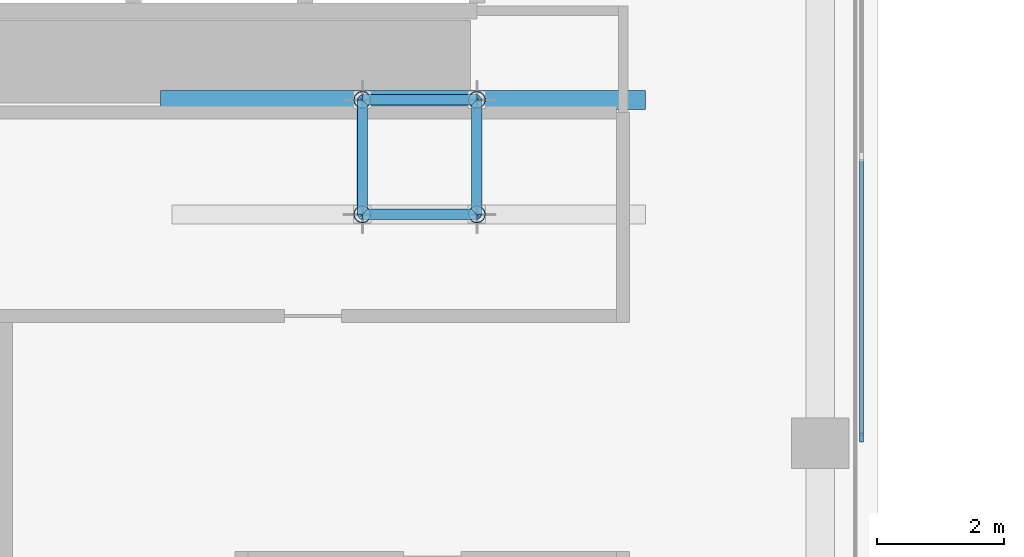
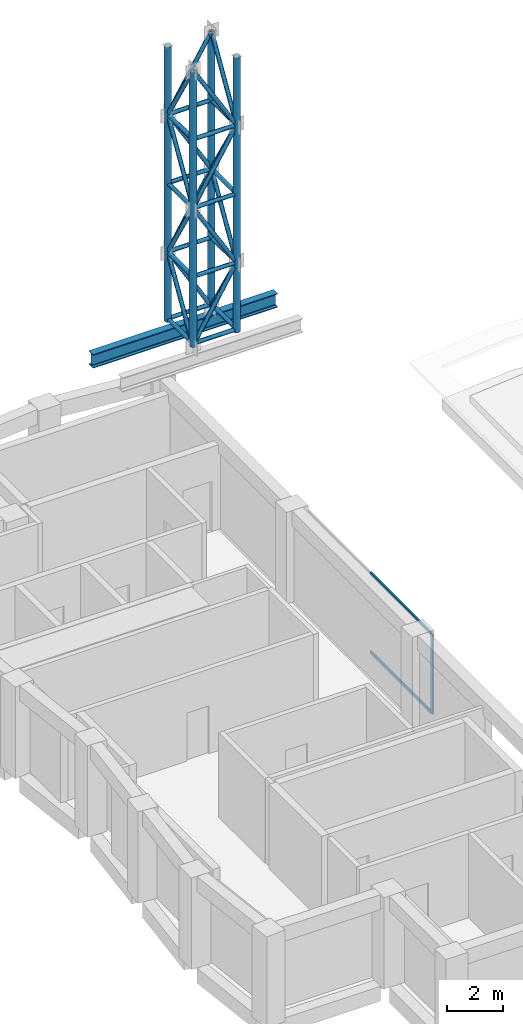
# One storey, part 3 of 7: 39 members, 1 beam, 1 element without a shape of its own.
"""IFC4 building model written with IfcOpenShell, lengths in metres."""

from ifc_helpers import new_model, si_unit, direction, frame, origin, origin_2d, place, context, subcontext, project, spatial, rectangle, hollow_circle, i_section, extrude, material, material_profile, profile_set, type_object, element, aggregate, save


model = new_model("IFC4")

# Units and contexts
model_context = context("Model", 3, precision=1e-05, world=origin(), true_north=direction((0.0, 1.0)))
body_context = subcontext(model_context, "Body", "Model", "MODEL_VIEW")
ifc_project = project(units=[si_unit("LENGTHUNIT", "METRE"), si_unit("AREAUNIT", "SQUARE_METRE"), si_unit("VOLUMEUNIT", "CUBIC_METRE"), si_unit("PLANEANGLEUNIT", "RADIAN"), si_unit("MASSUNIT", "GRAM", prefix="KILO")], contexts=[model_context])

# Site, building, storey
site_placement = place(None, origin())
site = spatial("IfcSite", under=ifc_project, at=site_placement, CompositionType="ELEMENT")
building_placement = place(site_placement, origin())
building = spatial("IfcBuilding", under=site, at=building_placement, Name="Brondeck Convention Tower", CompositionType="ELEMENT")
storey_placement = place(building_placement, frame((0.0, 0.0, 306.800048828125)))
storey = spatial("IfcBuildingStorey", under=building, at=storey_placement, Name="L76", CompositionType="ELEMENT", Elevation=306.800048828125)

# Curtain wall, members
ifc_material_1 = material(Name="Aluminium, bronze anodised", Category="aluminium")
curtain_wall_type = type_object("IfcCurtainWallType", Name="Crown screen curtain wall", PredefinedType="NOTDEFINED", material=ifc_material_1)
curtain_wall_placement = place(storey_placement, origin())
curtain_wall = element("IfcCurtainWall", 1, at=curtain_wall_placement, inside=storey, type_object=curtain_wall_type, Name="ENV-CW4-L76-K1-SLOT-W-05", PredefinedType="NOTDEFINED")
ifc_material_profile_1 = material_profile(ifc_material_1, rectangle(XDim=0.06005859375, YDim=0.139892578125, at=origin_2d()), Name="CW4 mullion")
ifc_profile_set_1 = profile_set([ifc_material_profile_1], Name="Aluminium, bronze anodised")
member_type_1 = type_object("IfcMemberType", Name="CW4 mullion", PredefinedType="MULLION", material=ifc_profile_set_1)
member_1_placement = place(storey_placement, frame((14.14990234375, 45.090087890625, 0.0), z_axis=(0.0, 0.0, 1.0), x_axis=(1.0, 0.0, 0.0)))
member_1 = element("IfcMember", 2, at=member_1_placement, type_object=member_type_1, Name="CW4 mullion 3", PredefinedType="MULLION", context=body_context, shape_type="SweptSolid", body=[
    extrude(rectangle(XDim=0.06005859375, YDim=0.139892578125, at=origin_2d()), origin(), (0.0, 0.0, 1.0), 3.5),
])
ifc_material_profile_2 = material_profile(ifc_material_1, rectangle(XDim=0.06005859375, YDim=0.1201171875, at=origin_2d()), Name="CW4 transom")
ifc_profile_set_2 = profile_set([ifc_material_profile_2], Name="Aluminium, bronze anodised")
member_type_2 = type_object("IfcMemberType", Name="CW4 transom", PredefinedType="USERDEFINED", material=ifc_profile_set_2)
member_2_placement = place(storey_placement, frame((14.14990234375, 49.469970703125, 0.030029296875), z_axis=(0.0, -1.0, 0.0), x_axis=(1.0, 0.0, 0.0)))
member_2 = element("IfcMember", 3, at=member_2_placement, type_object=member_type_2, Name="CW4 transom 2.1", ObjectType="TRANSOM", PredefinedType="USERDEFINED", context=body_context, shape_type="SweptSolid", body=[
    extrude(rectangle(XDim=0.06005859375, YDim=0.1201171875, at=origin_2d()), origin(), (0.0, 0.0, 1.0), 4.349853515625),
])
member_3_placement = place(storey_placement, frame((14.14990234375, 49.469970703125, 3.469970703125), z_axis=(0.0, -1.0, 0.0), x_axis=(1.0, 0.0, 0.0)))
member_3 = element("IfcMember", 4, at=member_3_placement, type_object=member_type_2, Name="CW4 transom 2.2", ObjectType="TRANSOM", PredefinedType="USERDEFINED", context=body_context, shape_type="SweptSolid", body=[
    extrude(rectangle(XDim=0.06005859375, YDim=0.1201171875, at=origin_2d()), origin(), (0.0, 0.0, 1.0), 4.349853515625),
])
aggregate(curtain_wall, [member_1, member_2, member_3])

# Beam
ifc_material_2 = material(Name="Steel S355", Category="steel")
ifc_material_profile_3 = material_profile(ifc_material_2, i_section(OverallWidth=0.300048828125, OverallDepth=0.60009765625, WebThickness=0.015380859375, FlangeThickness=0.030029296875, FilletRadius=0.027099609375, at=origin_2d()), Name="HEB 600")
ifc_profile_set_3 = profile_set([ifc_material_profile_3], Name="Steel S355")
beam_type = type_object("IfcBeamType", Name="Crown frame Girder HEB 600", PredefinedType="BEAM", material=ifc_profile_set_3)
beam_placement = place(storey_placement, frame((3.127197265625, 50.39990234375, 16.099853515625), z_axis=(1.0, 0.0, 0.0), x_axis=(0.0, 1.0, 0.0)))
element("IfcBeam", 5, at=beam_placement, inside=storey, type_object=beam_type, Name="Spire seat girder 2", PredefinedType="BEAM", context=body_context, shape_type="SweptSolid", body=[
    extrude(i_section(OverallWidth=0.300048828125, OverallDepth=0.60009765625, WebThickness=0.015380859375, FlangeThickness=0.030029296875, FilletRadius=0.027099609375, at=origin_2d()), origin(), (0.0, 0.0, 1.0), 7.622802734375),
])

# Members
ifc_material_3 = material(Name="Steel S460", Category="steel")
ifc_material_profile_4 = material_profile(ifc_material_3, hollow_circle(Radius=0.084228515625, WallThickness=0.010009765625, at=origin_2d()), Name="CHS 168.3x10")
ifc_profile_set_4 = profile_set([ifc_material_profile_4], Name="Steel S460")
member_type_3 = type_object("IfcMemberType", Name="Spire brace CHS 168.3x10", PredefinedType="BRACE", material=ifc_profile_set_4)
for number, where, z_axis, x_axis, name in (
    (6, (6.300048828125, 48.60009765625, 16.699951171875), (0.514506017516, 0.0, 0.857486768376), (0.0, 1.0, 0.0), "Spire brace 1-1"),
    (7, (8.10009765625, 50.39990234375, 16.699951171875), (0.0, -0.514454704863, 0.857517554715), (1.0, 0.0, 0.0), "Spire brace 1-2"),
    (8, (8.10009765625, 50.39990234375, 16.699951171875), (-0.514506017516, 0.0, 0.857486768376), (0.0, -1.0, 0.0), "Spire brace 1-3"),
    (9, (6.300048828125, 48.60009765625, 16.699951171875), (0.0, 0.514454704863, 0.857517554715), (-1.0, 0.0, 0.0), "Spire brace 1-4"),
    (10, (8.10009765625, 48.60009765625, 19.699951171875), (-0.514506017516, 0.0, 0.857486768376), (0.0, -1.0, 0.0), "Spire brace 2-1"),
    (11, (8.10009765625, 48.60009765625, 19.699951171875), (0.0, 0.514454704863, 0.857517554715), (-1.0, 0.0, 0.0), "Spire brace 2-2"),
    (12, (6.300048828125, 50.39990234375, 19.699951171875), (0.514506017516, 0.0, 0.857486768376), (0.0, 1.0, 0.0), "Spire brace 2-3"),
    (13, (6.300048828125, 50.39990234375, 19.699951171875), (0.0, -0.514454704863, 0.857517554715), (1.0, 0.0, 0.0), "Spire brace 2-4"),
    (14, (6.300048828125, 48.60009765625, 22.699951171875), (0.514506017516, 0.0, 0.857486768376), (0.0, 1.0, 0.0), "Spire brace 3-1"),
    (15, (8.10009765625, 50.39990234375, 22.699951171875), (0.0, -0.514454704863, 0.857517554715), (1.0, 0.0, 0.0), "Spire brace 3-2"),
    (16, (8.10009765625, 50.39990234375, 22.699951171875), (-0.514506017516, 0.0, 0.857486768376), (0.0, -1.0, 0.0), "Spire brace 3-3"),
    (17, (6.300048828125, 48.60009765625, 22.699951171875), (0.0, 0.514454704863, 0.857517554715), (-1.0, 0.0, 0.0), "Spire brace 3-4"),
    (18, (8.10009765625, 48.60009765625, 25.699951171875), (-0.514506017516, 0.0, 0.857486768376), (0.0, -1.0, 0.0), "Spire brace 4-1"),
    (19, (8.10009765625, 48.60009765625, 25.699951171875), (0.0, 0.514454704863, 0.857517554715), (-1.0, 0.0, 0.0), "Spire brace 4-2"),
    (20, (6.300048828125, 50.39990234375, 25.699951171875), (0.514506017516, 0.0, 0.857486768376), (0.0, 1.0, 0.0), "Spire brace 4-3"),
    (21, (6.300048828125, 50.39990234375, 25.699951171875), (0.0, -0.514454704863, 0.857517554715), (1.0, 0.0, 0.0), "Spire brace 4-4"),
):
    element("IfcMember", number, at=place(storey_placement, frame(where, z_axis=z_axis, x_axis=x_axis)), inside=storey, type_object=member_type_3, Name=name, PredefinedType="BRACE", context=body_context, shape_type="SweptSolid", body=[
        extrude(hollow_circle(Radius=0.084228515625, WallThickness=0.010009765625, at=origin_2d()), origin(), (0.0, 0.0, 1.0), 3.49853515625),
    ])
ifc_material_profile_5 = material_profile(ifc_material_3, hollow_circle(Radius=0.136474609375, WallThickness=0.01416015625, at=origin_2d()), Name="CHS 273x14.2")
ifc_profile_set_5 = profile_set([ifc_material_profile_5], Name="Steel S460")
member_type_4 = type_object("IfcMemberType", Name="Spire leg CHS 273x14.2", PredefinedType="CHORD", material=ifc_profile_set_5)
for number, where, z_axis, x_axis, name in (
    (22, (6.300048828125, 48.60009765625, 16.699951171875), (0.0, 0.0, 1.0), (1.0, 0.0, 0.0), "Spire leg 1"),
    (23, (8.10009765625, 48.60009765625, 16.699951171875), (0.0, 0.0, 1.0), (1.0, 0.0, 0.0), "Spire leg 2"),
    (24, (8.10009765625, 50.39990234375, 16.699951171875), (0.0, 0.0, 1.0), (1.0, 0.0, 0.0), "Spire leg 3"),
    (25, (6.300048828125, 50.39990234375, 16.699951171875), (0.0, 0.0, 1.0), (1.0, 0.0, 0.0), "Spire leg 4"),
):
    element("IfcMember", number, at=place(storey_placement, frame(where, z_axis=z_axis, x_axis=x_axis)), inside=storey, type_object=member_type_4, Name=name, PredefinedType="CHORD", context=body_context, shape_type="SweptSolid", body=[
        extrude(hollow_circle(Radius=0.136474609375, WallThickness=0.01416015625, at=origin_2d()), origin(), (0.0, 0.0, 1.0), 12.0),
    ])
ifc_material_profile_6 = material_profile(ifc_material_3, hollow_circle(Radius=0.084228515625, WallThickness=0.010009765625, at=origin_2d()), Name="CHS 168.3x10")
ifc_profile_set_6 = profile_set([ifc_material_profile_6], Name="Steel S460")
member_type_5 = type_object("IfcMemberType", Name="Spire ring CHS 168.3x10", PredefinedType="STRUT", material=ifc_profile_set_6)
member_4_placement = place(storey_placement, frame((6.300048828125, 48.60009765625, 16.78515625), z_axis=(1.0, 0.0, 0.0), x_axis=(0.0, 1.0, 0.0)))
element("IfcMember", 26, at=member_4_placement, inside=storey, type_object=member_type_5, Name="Spire ring 1-1", PredefinedType="STRUT", context=body_context, shape_type="SweptSolid", body=[
    extrude(hollow_circle(Radius=0.084228515625, WallThickness=0.010009765625, at=origin_2d()), origin(), (0.0, 0.0, 1.0), 1.800048828125),
])
member_5_placement = place(storey_placement, frame((8.10009765625, 48.60009765625, 16.78515625), z_axis=(0.0, 1.0, 0.0), x_axis=(-1.0, 0.0, 0.0)))
element("IfcMember", 27, at=member_5_placement, inside=storey, type_object=member_type_5, Name="Spire ring 1-2", PredefinedType="STRUT", context=body_context, shape_type="SweptSolid", body=[
    extrude(hollow_circle(Radius=0.084228515625, WallThickness=0.010009765625, at=origin_2d()), origin(), (0.0, 0.0, 1.0), 1.7998046875),
])
member_6_placement = place(storey_placement, frame((8.10009765625, 50.39990234375, 16.78515625), z_axis=(-1.0, 0.0, 0.0), x_axis=(0.0, -1.0, 0.0)))
element("IfcMember", 28, at=member_6_placement, inside=storey, type_object=member_type_5, Name="Spire ring 1-3", PredefinedType="STRUT", context=body_context, shape_type="SweptSolid", body=[
    extrude(hollow_circle(Radius=0.084228515625, WallThickness=0.010009765625, at=origin_2d()), origin(), (0.0, 0.0, 1.0), 1.800048828125),
])
member_7_placement = place(storey_placement, frame((6.300048828125, 50.39990234375, 16.78515625), z_axis=(0.0, -1.0, 0.0), x_axis=(1.0, 0.0, 0.0)))
element("IfcMember", 29, at=member_7_placement, inside=storey, type_object=member_type_5, Name="Spire ring 1-4", PredefinedType="STRUT", context=body_context, shape_type="SweptSolid", body=[
    extrude(hollow_circle(Radius=0.084228515625, WallThickness=0.010009765625, at=origin_2d()), origin(), (0.0, 0.0, 1.0), 1.7998046875),
])
member_8_placement = place(storey_placement, frame((6.300048828125, 48.60009765625, 19.699951171875), z_axis=(1.0, 0.0, 0.0), x_axis=(0.0, 1.0, 0.0)))
element("IfcMember", 30, at=member_8_placement, inside=storey, type_object=member_type_5, Name="Spire ring 2-1", PredefinedType="STRUT", context=body_context, shape_type="SweptSolid", body=[
    extrude(hollow_circle(Radius=0.084228515625, WallThickness=0.010009765625, at=origin_2d()), origin(), (0.0, 0.0, 1.0), 1.800048828125),
])
member_9_placement = place(storey_placement, frame((8.10009765625, 48.60009765625, 19.699951171875), z_axis=(0.0, 1.0, 0.0), x_axis=(-1.0, 0.0, 0.0)))
element("IfcMember", 31, at=member_9_placement, inside=storey, type_object=member_type_5, Name="Spire ring 2-2", PredefinedType="STRUT", context=body_context, shape_type="SweptSolid", body=[
    extrude(hollow_circle(Radius=0.084228515625, WallThickness=0.010009765625, at=origin_2d()), origin(), (0.0, 0.0, 1.0), 1.7998046875),
])
member_10_placement = place(storey_placement, frame((8.10009765625, 50.39990234375, 19.699951171875), z_axis=(-1.0, 0.0, 0.0), x_axis=(0.0, -1.0, 0.0)))
element("IfcMember", 32, at=member_10_placement, inside=storey, type_object=member_type_5, Name="Spire ring 2-3", PredefinedType="STRUT", context=body_context, shape_type="SweptSolid", body=[
    extrude(hollow_circle(Radius=0.084228515625, WallThickness=0.010009765625, at=origin_2d()), origin(), (0.0, 0.0, 1.0), 1.800048828125),
])
member_11_placement = place(storey_placement, frame((6.300048828125, 50.39990234375, 19.699951171875), z_axis=(0.0, -1.0, 0.0), x_axis=(1.0, 0.0, 0.0)))
element("IfcMember", 33, at=member_11_placement, inside=storey, type_object=member_type_5, Name="Spire ring 2-4", PredefinedType="STRUT", context=body_context, shape_type="SweptSolid", body=[
    extrude(hollow_circle(Radius=0.084228515625, WallThickness=0.010009765625, at=origin_2d()), origin(), (0.0, 0.0, 1.0), 1.7998046875),
])
member_12_placement = place(storey_placement, frame((6.300048828125, 48.60009765625, 22.699951171875), z_axis=(1.0, 0.0, 0.0), x_axis=(0.0, 1.0, 0.0)))
element("IfcMember", 34, at=member_12_placement, inside=storey, type_object=member_type_5, Name="Spire ring 3-1", PredefinedType="STRUT", context=body_context, shape_type="SweptSolid", body=[
    extrude(hollow_circle(Radius=0.084228515625, WallThickness=0.010009765625, at=origin_2d()), origin(), (0.0, 0.0, 1.0), 1.800048828125),
])
member_13_placement = place(storey_placement, frame((8.10009765625, 48.60009765625, 22.699951171875), z_axis=(0.0, 1.0, 0.0), x_axis=(-1.0, 0.0, 0.0)))
element("IfcMember", 35, at=member_13_placement, inside=storey, type_object=member_type_5, Name="Spire ring 3-2", PredefinedType="STRUT", context=body_context, shape_type="SweptSolid", body=[
    extrude(hollow_circle(Radius=0.084228515625, WallThickness=0.010009765625, at=origin_2d()), origin(), (0.0, 0.0, 1.0), 1.7998046875),
])
member_14_placement = place(storey_placement, frame((8.10009765625, 50.39990234375, 22.699951171875), z_axis=(-1.0, 0.0, 0.0), x_axis=(0.0, -1.0, 0.0)))
element("IfcMember", 36, at=member_14_placement, inside=storey, type_object=member_type_5, Name="Spire ring 3-3", PredefinedType="STRUT", context=body_context, shape_type="SweptSolid", body=[
    extrude(hollow_circle(Radius=0.084228515625, WallThickness=0.010009765625, at=origin_2d()), origin(), (0.0, 0.0, 1.0), 1.800048828125),
])
member_15_placement = place(storey_placement, frame((6.300048828125, 50.39990234375, 22.699951171875), z_axis=(0.0, -1.0, 0.0), x_axis=(1.0, 0.0, 0.0)))
element("IfcMember", 37, at=member_15_placement, inside=storey, type_object=member_type_5, Name="Spire ring 3-4", PredefinedType="STRUT", context=body_context, shape_type="SweptSolid", body=[
    extrude(hollow_circle(Radius=0.084228515625, WallThickness=0.010009765625, at=origin_2d()), origin(), (0.0, 0.0, 1.0), 1.7998046875),
])
member_16_placement = place(storey_placement, frame((6.300048828125, 48.60009765625, 25.699951171875), z_axis=(1.0, 0.0, 0.0), x_axis=(0.0, 1.0, 0.0)))
element("IfcMember", 38, at=member_16_placement, inside=storey, type_object=member_type_5, Name="Spire ring 4-1", PredefinedType="STRUT", context=body_context, shape_type="SweptSolid", body=[
    extrude(hollow_circle(Radius=0.084228515625, WallThickness=0.010009765625, at=origin_2d()), origin(), (0.0, 0.0, 1.0), 1.800048828125),
])
member_17_placement = place(storey_placement, frame((8.10009765625, 48.60009765625, 25.699951171875), z_axis=(0.0, 1.0, 0.0), x_axis=(-1.0, 0.0, 0.0)))
element("IfcMember", 39, at=member_17_placement, inside=storey, type_object=member_type_5, Name="Spire ring 4-2", PredefinedType="STRUT", context=body_context, shape_type="SweptSolid", body=[
    extrude(hollow_circle(Radius=0.084228515625, WallThickness=0.010009765625, at=origin_2d()), origin(), (0.0, 0.0, 1.0), 1.7998046875),
])
member_18_placement = place(storey_placement, frame((8.10009765625, 50.39990234375, 25.699951171875), z_axis=(-1.0, 0.0, 0.0), x_axis=(0.0, -1.0, 0.0)))
element("IfcMember", 40, at=member_18_placement, inside=storey, type_object=member_type_5, Name="Spire ring 4-3", PredefinedType="STRUT", context=body_context, shape_type="SweptSolid", body=[
    extrude(hollow_circle(Radius=0.084228515625, WallThickness=0.010009765625, at=origin_2d()), origin(), (0.0, 0.0, 1.0), 1.800048828125),
])
member_19_placement = place(storey_placement, frame((6.300048828125, 50.39990234375, 25.699951171875), z_axis=(0.0, -1.0, 0.0), x_axis=(1.0, 0.0, 0.0)))
element("IfcMember", 41, at=member_19_placement, inside=storey, type_object=member_type_5, Name="Spire ring 4-4", PredefinedType="STRUT", context=body_context, shape_type="SweptSolid", body=[
    extrude(hollow_circle(Radius=0.084228515625, WallThickness=0.010009765625, at=origin_2d()), origin(), (0.0, 0.0, 1.0), 1.7998046875),
])

save(model, "model.ifc")
